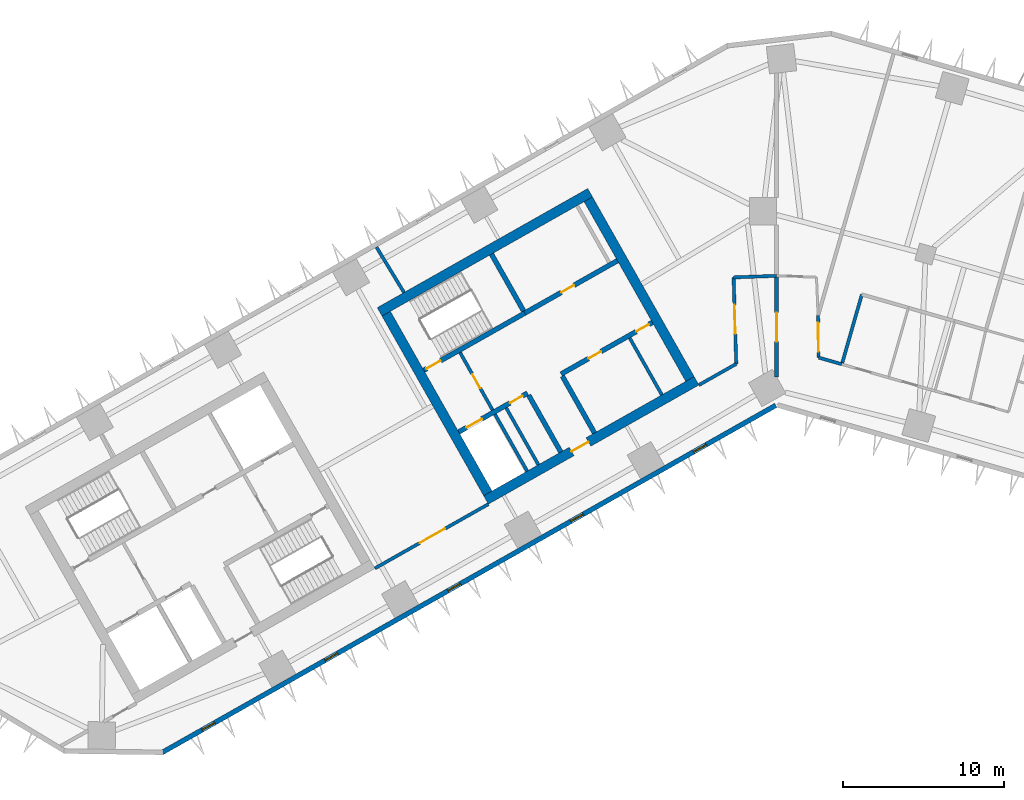
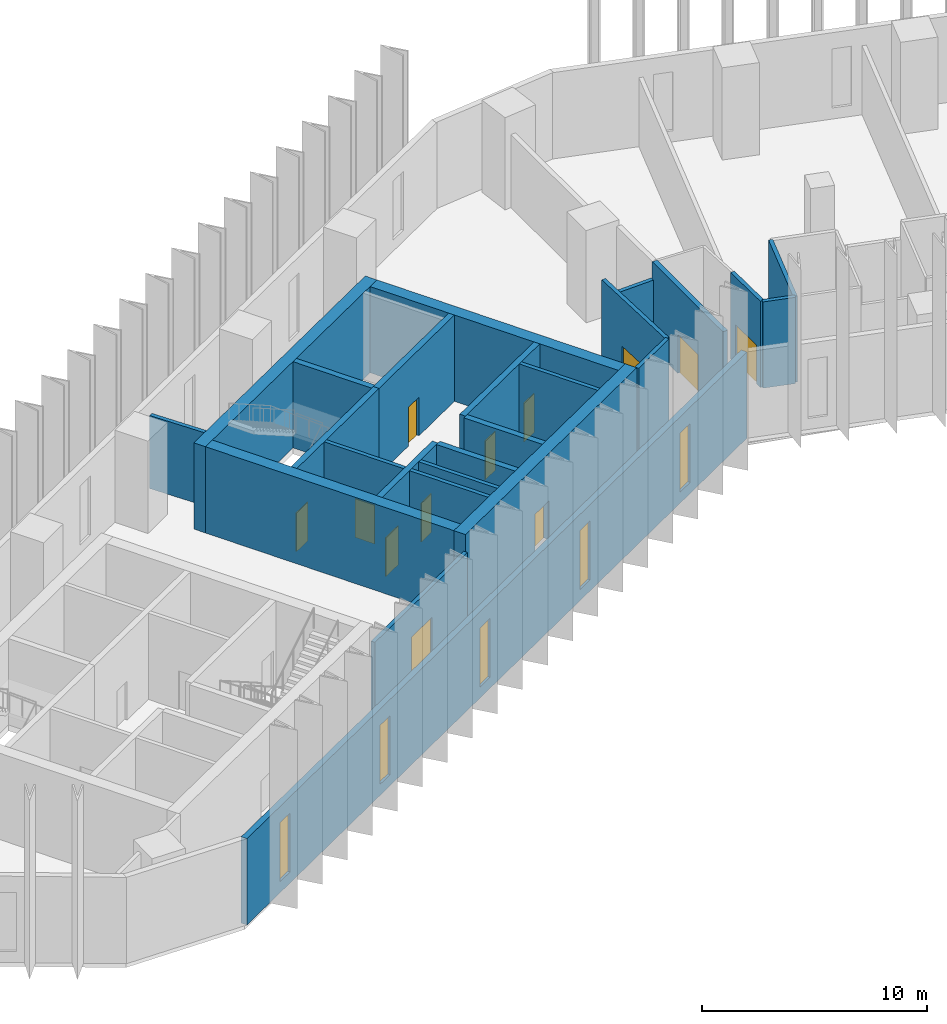
# One storey, part 4 of 11: 25 walls, 12 doors, 5 windows, 17 openings.
"""IFC4 building model written with IfcOpenShell, lengths in metres."""

from ifc_helpers import new_model, si_unit, direction, frame, frame_2d, origin, place, context, subcontext, project, spatial, rectangle, extrude, material, layer, layer_set, type_object, element, fill, save


model = new_model("IFC4")

# Units and contexts
model_context = context("Model", 3, precision=1e-05, world=origin(), true_north=direction((0.0, 1.0)))
body_context = subcontext(model_context, "Body", "Model", "MODEL_VIEW")
ifc_project = project(units=[si_unit("LENGTHUNIT", "METRE"), si_unit("AREAUNIT", "SQUARE_METRE"), si_unit("VOLUMEUNIT", "CUBIC_METRE"), si_unit("PLANEANGLEUNIT", "RADIAN"), si_unit("MASSUNIT", "GRAM", prefix="KILO")], contexts=[model_context])

# Site, building, storey
site_placement = place(None, origin())
site = spatial("IfcSite", under=ifc_project, at=site_placement, CompositionType="ELEMENT")
building_placement = place(site_placement, origin())
building = spatial("IfcBuilding", under=site, at=building_placement, Name="Binnacle Exchange Tower", CompositionType="ELEMENT")
storey_placement = place(building_placement, frame((0.0, 0.0, 76.5)))
storey = spatial("IfcBuildingStorey", under=building, at=storey_placement, Name="L15", CompositionType="ELEMENT", Elevation=76.5)

# Wall
ifc_material_1 = material(Name="Gypsum partition fire rated")
ifc_layer_1 = layer(ifc_material_1, 0.199951171875)
ifc_layer_set_1 = layer_set([ifc_layer_1], Name="Core partition 200")
wall_type_1 = type_object("IfcWallType", Name="Core partition 200", PredefinedType="PARTITIONING", material=ifc_layer_set_1)
wall_1_placement = place(storey_placement, frame((-9.11279296875, 52.14404296875, 0.0), z_axis=(0.0, 0.0, 1.0), x_axis=(0.492394910396, -0.870371904542, 0.0)))
element("IfcWall", 1, at=wall_1_placement, inside=storey, type_object=wall_type_1, Name="Core wall CRWC22", PredefinedType="PARTITIONING", context=body_context, shape_type="SweptSolid", body=[
    extrude(rectangle(XDim=4.0498046875, YDim=0.199951171875, at=frame_2d((2.02490234375, 0.0))), origin(), (0.0, 0.0, 1.0), 4.679931640625),
])

# Wall, openings, doors
ifc_material_2 = material(Name="Concrete C70/85", Category="concrete")
ifc_layer_2 = layer(ifc_material_2, 0.300048828125)
ifc_layer_set_2 = layer_set([ifc_layer_2], Name="Core wall - front 300")
wall_type_2 = type_object("IfcWallType", Name="Core wall - front 300", PredefinedType="SOLIDWALL", material=ifc_layer_set_2)
wall_2_placement = place(storey_placement, frame((-19.718017578125, 46.31640625, 0.0), z_axis=(0.0, 0.0, 1.0), x_axis=(0.870353963862, 0.492426621528, 0.0)))
wall_2 = element("IfcWall", 2, at=wall_2_placement, inside=storey, type_object=wall_type_2, Name="Core wall CRWC2", PredefinedType="SOLIDWALL", context=body_context, shape_type="SweptSolid", body=[
    extrude(rectangle(XDim=4.89990234375, YDim=0.300048828125, at=frame_2d((2.449951171875, 0.0))), origin(), (0.0, 0.0, 1.0), 4.679931640625),
])
opening_1_placement = place(wall_2_placement, frame((0.550048828125, 0.0, 0.0)))
opening_1 = element("IfcOpeningElement", 3, at=opening_1_placement, cuts=wall_2, Name="Opening LD14", PredefinedType="OPENING", context=body_context, shape_type="SweptSolid", body=[
    extrude(rectangle(XDim=1.10009765625, YDim=2.10009765625, at=frame_2d((0.550048828125, 1.050048828125))), frame((0.0, 0.159912109375, 0.0), z_axis=(0.0, -1.0, 0.0), x_axis=(1.0, 0.0, 0.0)), (0.0, 0.0, 1.0), 0.320068359375),
])
opening_2_placement = place(wall_2_placement, frame((3.64990234375, 0.0, 0.0)))
opening_2 = element("IfcOpeningElement", 4, at=opening_2_placement, cuts=wall_2, Name="Opening DC14", PredefinedType="OPENING", context=body_context, shape_type="SweptSolid", body=[
    extrude(rectangle(XDim=0.89990234375, YDim=2.10009765625, at=frame_2d((0.449951171875, 1.050048828125))), frame((0.0, 0.159912109375, 0.0), z_axis=(0.0, -1.0, 0.0), x_axis=(1.0, 0.0, 0.0)), (0.0, 0.0, 1.0), 0.320068359375),
])
ifc_material_3 = material(Name="Steel door leaf", Category="steel")
door_type_1 = type_object("IfcDoorType", Name="Fire door - lift landing 1100", OperationType="NOTDEFINED", PredefinedType="DOOR", material=ifc_material_3)
door_1_placement = place(opening_1_placement, origin())
door_1 = element("IfcDoor", 5, at=door_1_placement, inside=storey, type_object=door_type_1, Name="Landing door LD14 L15", OperationType="DOUBLE_DOOR_SLIDING", OverallHeight=2.10009765625, OverallWidth=1.10009765625, PredefinedType="DOOR", context=body_context, shape_type="SweptSolid", body=[
    extrude(rectangle(XDim=1.10009765625, YDim=2.10009765625, at=frame_2d((0.550048828125, 1.050048828125))), frame((0.0, 0.02490234375, 0.0), z_axis=(0.0, -1.0, 0.0), x_axis=(1.0, 0.0, 0.0)), (0.0, 0.0, 1.0), 0.050048828125),
])
fill(opening_1, door_1)
door_type_2 = type_object("IfcDoorType", Name="Fire door 900", OperationType="NOTDEFINED", PredefinedType="DOOR", material=ifc_material_3)
door_2_placement = place(opening_2_placement, frame((0.89990234375, 0.0, 0.0), z_axis=(0.0, 0.0, 1.0), x_axis=(-1.0, 0.0, 0.0)))
door_2 = element("IfcDoor", 6, at=door_2_placement, inside=storey, type_object=door_type_2, Name="Core room door COMMS RISER ROOM", OperationType="SINGLE_SWING_LEFT", OverallHeight=2.10009765625, OverallWidth=0.89990234375, PredefinedType="DOOR", context=body_context, shape_type="SweptSolid", body=[
    extrude(rectangle(XDim=0.89990234375, YDim=2.10009765625, at=frame_2d((0.449951171875, 1.050048828125))), frame((0.0, 0.02490234375, 0.0), z_axis=(0.0, -1.0, 0.0), x_axis=(1.0, 0.0, 0.0)), (0.0, 0.0, 1.0), 0.050048828125),
])
fill(opening_2, door_2)

wall_3_placement = place(storey_placement, frame((-13.364501953125, 49.910888671875, 0.0), z_axis=(0.0, 0.0, 1.0), x_axis=(0.870340995471, 0.49244954219, 0.0)))
wall_3 = element("IfcWall", 7, at=wall_3_placement, inside=storey, type_object=wall_type_2, Name="Core wall CRWC3", PredefinedType="SOLIDWALL", context=body_context, shape_type="SweptSolid", body=[
    extrude(rectangle(XDim=6.5, YDim=0.300048828125, at=frame_2d((3.25, 0.0))), origin(), (0.0, 0.0, 1.0), 4.679931640625),
])
opening_3_placement = place(wall_3_placement, frame((1.949951171875, 0.0, 0.0)))
opening_3 = element("IfcOpeningElement", 8, at=opening_3_placement, cuts=wall_3, Name="Opening DC18", PredefinedType="OPENING", context=body_context, shape_type="SweptSolid", body=[
    extrude(rectangle(XDim=0.89990234375, YDim=2.10009765625, at=frame_2d((0.449951171875, 1.050048828125))), frame((0.0, 0.159912109375, 0.0), z_axis=(0.0, -1.0, 0.0), x_axis=(1.0, 0.0, 0.0)), (0.0, 0.0, 1.0), 0.320068359375),
])
opening_4_placement = place(wall_3_placement, frame((5.35009765625, 0.0, 0.0)))
opening_4 = element("IfcOpeningElement", 9, at=opening_4_placement, cuts=wall_3, Name="Opening DC19", PredefinedType="OPENING", context=body_context, shape_type="SweptSolid", body=[
    extrude(rectangle(XDim=0.89990234375, YDim=2.10009765625, at=frame_2d((0.449951171875, 1.050048828125))), frame((0.0, 0.159912109375, 0.0), z_axis=(0.0, -1.0, 0.0), x_axis=(1.0, 0.0, 0.0)), (0.0, 0.0, 1.0), 0.320068359375),
])
door_3_placement = place(opening_3_placement, frame((0.89990234375, 0.0, 0.0), z_axis=(0.0, 0.0, 1.0), x_axis=(-1.0, 0.0, 0.0)))
door_3 = element("IfcDoor", 10, at=door_3_placement, inside=storey, type_object=door_type_2, Name="Core room door TELECOM RISER ROOM", OperationType="SINGLE_SWING_RIGHT", OverallHeight=2.10009765625, OverallWidth=0.89990234375, PredefinedType="DOOR", context=body_context, shape_type="SweptSolid", body=[
    extrude(rectangle(XDim=0.89990234375, YDim=2.10009765625, at=frame_2d((0.449951171875, 1.050048828125))), frame((0.0, 0.02490234375, 0.0), z_axis=(0.0, -1.0, 0.0), x_axis=(1.0, 0.0, 0.0)), (0.0, 0.0, 1.0), 0.050048828125),
])
fill(opening_3, door_3)
door_4_placement = place(opening_4_placement, frame((0.89990234375, 0.0, 0.0), z_axis=(0.0, 0.0, 1.0), x_axis=(-1.0, 0.0, 0.0)))
door_4 = element("IfcDoor", 11, at=door_4_placement, inside=storey, type_object=door_type_2, Name="Core room door IT STORE", OperationType="SINGLE_SWING_LEFT", OverallHeight=2.10009765625, OverallWidth=0.89990234375, PredefinedType="DOOR", context=body_context, shape_type="SweptSolid", body=[
    extrude(rectangle(XDim=0.89990234375, YDim=2.10009765625, at=frame_2d((0.449951171875, 1.050048828125))), frame((0.0, 0.02490234375, 0.0), z_axis=(0.0, -1.0, 0.0), x_axis=(1.0, 0.0, 0.0)), (0.0, 0.0, 1.0), 0.050048828125),
])
fill(opening_4, door_4)

# Wall, opening, door
wall_4_placement = place(storey_placement, frame((-15.6181640625, 53.69140625, 0.0), z_axis=(0.0, 0.0, 1.0), x_axis=(0.870356769198, 0.492421663121, 0.0)))
wall_4 = element("IfcWall", 12, at=wall_4_placement, inside=storey, type_object=wall_type_2, Name="Core wall CRWC5", PredefinedType="SOLIDWALL", context=body_context, shape_type="SweptSolid", body=[
    extrude(rectangle(XDim=6.60009765625, YDim=0.300048828125, at=frame_2d((3.300048828125, 0.0))), origin(), (0.0, 0.0, 1.0), 4.679931640625),
])
opening_5_placement = place(wall_4_placement, frame((2.60009765625, 0.0, 0.0)))
opening_5 = element("IfcOpeningElement", 13, at=opening_5_placement, cuts=wall_4, Name="Opening DC10", PredefinedType="OPENING", context=body_context, shape_type="SweptSolid", body=[
    extrude(rectangle(XDim=0.89990234375, YDim=2.10009765625, at=frame_2d((0.449951171875, 1.050048828125))), frame((0.0, 0.159912109375, 0.0), z_axis=(0.0, -1.0, 0.0), x_axis=(1.0, 0.0, 0.0)), (0.0, 0.0, 1.0), 0.320068359375),
])
door_5_placement = place(opening_5_placement, origin())
door_5 = element("IfcDoor", 14, at=door_5_placement, inside=storey, type_object=door_type_2, Name="Core room door WORKSHOP STORE", OperationType="SINGLE_SWING_LEFT", OverallHeight=2.10009765625, OverallWidth=0.89990234375, PredefinedType="DOOR", context=body_context, shape_type="SweptSolid", body=[
    extrude(rectangle(XDim=0.89990234375, YDim=2.10009765625, at=frame_2d((0.449951171875, 1.050048828125))), frame((0.0, 0.02490234375, 0.0), z_axis=(0.0, -1.0, 0.0), x_axis=(1.0, 0.0, 0.0)), (0.0, 0.0, 1.0), 0.050048828125),
])
fill(opening_5, door_5)

# Walls
for number, where, z_axis, x_axis, name in (
    (15, (-15.37939453125, 48.5986328125, 0.0), (0.0, 0.0, 1.0), (0.492394910396, -0.870371904542, 0.0), "Core wall CRWC13"),
    (16, (-13.29052734375, 49.780517578125, 0.0), (0.0, 0.0, 1.0), (0.492394910396, -0.870371904542, 0.0), "Core wall CRWC15"),
):
    element("IfcWall", number, at=place(storey_placement, frame(where, z_axis=z_axis, x_axis=x_axis)), inside=storey, type_object=wall_type_2, Name=name, PredefinedType="SOLIDWALL", context=body_context, shape_type="SweptSolid", body=[
        extrude(rectangle(XDim=4.0498046875, YDim=0.300048828125, at=frame_2d((2.02490234375, 0.0))), origin(), (0.0, 0.0, 1.0), 4.679931640625),
    ])

# Wall, opening, door
ifc_layer_3 = layer(ifc_material_2, 0.60009765625)
ifc_layer_set_3 = layer_set([ifc_layer_3], Name="Core wall - outer 600")
wall_type_3 = type_object("IfcWallType", Name="Core wall - outer 600", PredefinedType="SOLIDWALL", material=ifc_layer_set_3)
wall_5_placement = place(storey_placement, frame((-18.0244140625, 42.104248046875, 0.0), z_axis=(0.0, 0.0, 1.0), x_axis=(0.870360574057, 0.492414937962, 0.0)))
wall_5 = element("IfcWall", 17, at=wall_5_placement, inside=storey, type_object=wall_type_3, Name="Core wall CRWC1", PredefinedType="SOLIDWALL", context=body_context, shape_type="SweptSolid", body=[
    extrude(rectangle(XDim=15.0, YDim=0.60009765625, at=frame_2d((7.5, 0.0))), origin(), (0.0, 0.0, 1.0), 4.679931640625),
])
opening_6_placement = place(wall_5_placement, frame((6.10009765625, 0.0, 0.0)))
opening_6 = element("IfcOpeningElement", 18, at=opening_6_placement, cuts=wall_5, Name="Opening DC7", PredefinedType="OPENING", context=body_context, shape_type="SweptSolid", body=[
    extrude(rectangle(XDim=1.199951171875, YDim=2.10009765625, at=frame_2d((0.60009765625, 1.050048828125))), frame((0.0, 0.31005859375, 0.0), z_axis=(0.0, -1.0, 0.0), x_axis=(1.0, 0.0, 0.0)), (0.0, 0.0, 1.0), 0.6201171875),
])
door_type_3 = type_object("IfcDoorType", Name="Fire door 1200", OperationType="NOTDEFINED", PredefinedType="DOOR", material=ifc_material_3)
door_6_placement = place(opening_6_placement, frame((1.199951171875, 0.0, 0.0), z_axis=(0.0, 0.0, 1.0), x_axis=(-1.0, 0.0, 0.0)))
door_6 = element("IfcDoor", 19, at=door_6_placement, inside=storey, type_object=door_type_3, Name="Lift lobby entrance door core C", OperationType="SINGLE_SWING_RIGHT", OverallHeight=2.10009765625, OverallWidth=1.199951171875, PredefinedType="DOOR", context=body_context, shape_type="SweptSolid", body=[
    extrude(rectangle(XDim=1.199951171875, YDim=2.10009765625, at=frame_2d((0.60009765625, 1.050048828125))), frame((0.0, 0.02490234375, 0.0), z_axis=(0.0, -1.0, 0.0), x_axis=(1.0, 0.0, 0.0)), (0.0, 0.0, 1.0), 0.050048828125),
])
fill(opening_6, door_6)

# Walls
wall_6_placement = place(storey_placement, frame((-24.622802734375, 53.76708984375, 0.0), z_axis=(0.0, 0.0, 1.0), x_axis=(0.870356627484, 0.492421913601, 0.0)))
element("IfcWall", 20, at=wall_6_placement, inside=storey, type_object=wall_type_3, Name="Core wall CRWC6", PredefinedType="SOLIDWALL", context=body_context, shape_type="SweptSolid", body=[
    extrude(rectangle(XDim=14.999755859375, YDim=0.60009765625, at=frame_2d((7.5, 0.0))), origin(), (0.0, 0.0, 1.0), 4.679931640625),
])
wall_7_placement = place(storey_placement, frame((-24.214111328125, 53.653564453125, 0.0), z_axis=(0.0, 0.0, 1.0), x_axis=(0.492441221355, -0.870345703448, 0.0)))
element("IfcWall", 21, at=wall_7_placement, inside=storey, type_object=wall_type_3, Name="Core wall CRWC7", PredefinedType="SOLIDWALL", context=body_context, shape_type="SweptSolid", body=[
    extrude(rectangle(XDim=12.800048828125, YDim=0.60009765625, at=frame_2d((6.39990234375, 0.0))), origin(), (0.0, 0.0, 1.0), 4.679931640625),
])
wall_8_placement = place(storey_placement, frame((-11.680908203125, 60.744384765625, 0.0), z_axis=(0.0, 0.0, 1.0), x_axis=(0.492426772896, -0.870353878221, 0.0)))
element("IfcWall", 22, at=wall_8_placement, inside=storey, type_object=wall_type_3, Name="Core wall CRWC24", PredefinedType="SOLIDWALL", context=body_context, shape_type="SweptSolid", body=[
    extrude(rectangle(XDim=12.7998046875, YDim=0.60009765625, at=frame_2d((6.39990234375, 0.0))), origin(), (0.0, 0.0, 1.0), 4.679931640625),
])

# Wall, opening, door
ifc_layer_4 = layer(ifc_material_2, 0.300048828125)
ifc_layer_set_4 = layer_set([ifc_layer_4], Name="Core wall - stair 300")
wall_type_4 = type_object("IfcWallType", Name="Core wall - stair 300", PredefinedType="SOLIDWALL", material=ifc_layer_set_4)
wall_9_placement = place(storey_placement, frame((-21.884765625, 50.14599609375, 0.0), z_axis=(0.0, 0.0, 1.0), x_axis=(0.870359411463, 0.492416992881, 0.0)))
wall_9 = element("IfcWall", 23, at=wall_9_placement, inside=storey, type_object=wall_type_4, Name="Core wall CRWC4", PredefinedType="SOLIDWALL", context=body_context, shape_type="SweptSolid", body=[
    extrude(rectangle(XDim=7.199951171875, YDim=0.300048828125, at=frame_2d((3.60009765625, 0.0))), origin(), (0.0, 0.0, 1.0), 4.679931640625),
])
opening_7_placement = place(wall_9_placement, frame((0.199951171875, 0.0, 0.0)))
opening_7 = element("IfcOpeningElement", 24, at=opening_7_placement, cuts=wall_9, Name="Opening DC1", PredefinedType="OPENING", context=body_context, shape_type="SweptSolid", body=[
    extrude(rectangle(XDim=1.0, YDim=2.10009765625, at=frame_2d((0.5, 1.050048828125))), frame((0.0, 0.159912109375, 0.0), z_axis=(0.0, -1.0, 0.0), x_axis=(1.0, 0.0, 0.0)), (0.0, 0.0, 1.0), 0.320068359375),
])
door_type_4 = type_object("IfcDoorType", Name="Fire door 1000", OperationType="NOTDEFINED", PredefinedType="DOOR", material=ifc_material_3)
door_7_placement = place(opening_7_placement, origin())
door_7 = element("IfcDoor", 25, at=door_7_placement, inside=storey, type_object=door_type_4, Name="Stair door ST-C1", OperationType="SINGLE_SWING_LEFT", OverallHeight=2.10009765625, OverallWidth=1.0, PredefinedType="DOOR", context=body_context, shape_type="SweptSolid", body=[
    extrude(rectangle(XDim=1.0, YDim=2.10009765625, at=frame_2d((0.5, 1.050048828125))), frame((0.0, 0.02490234375, 0.0), z_axis=(0.0, -1.0, 0.0), x_axis=(1.0, 0.0, 0.0)), (0.0, 0.0, 1.0), 0.050048828125),
])
fill(opening_7, door_7)

# Wall
wall_10_placement = place(storey_placement, frame((-17.686279296875, 57.3466796875, 0.0), z_axis=(0.0, 0.0, 1.0), x_axis=(0.492420746998, -0.870357287513, 0.0)))
element("IfcWall", 26, at=wall_10_placement, inside=storey, type_object=wall_type_4, Name="Core wall CRWC14", PredefinedType="SOLIDWALL", context=body_context, shape_type="SweptSolid", body=[
    extrude(rectangle(XDim=4.049560546875, YDim=0.300048828125, at=frame_2d((2.02490234375, 0.0))), origin(), (0.0, 0.0, 1.0), 4.679931640625),
])

# Wall, openings, windows
ifc_material_4 = material(Name="Bronze aluminium cladding", Category="aluminium")
ifc_layer_5 = layer(ifc_material_4, 0.300048828125)
ifc_layer_set_5 = layer_set([ifc_layer_5], Name="External wall - spandrel 300")
wall_type_5 = type_object("IfcWallType", Name="External wall - spandrel 300", PredefinedType="STANDARD", material=ifc_layer_set_5)
wall_11_placement = place(storey_placement, frame((-0.0546875, 47.968994140625, 0.0), z_axis=(0.0, 0.0, 1.0), x_axis=(-0.870355730478, -0.492423499058, 0.0)))
wall_11 = element("IfcWall", 27, at=wall_11_placement, inside=storey, type_object=wall_type_5, Name="External wall EW-F07 L15", PredefinedType="STANDARD", context=body_context, shape_type="SweptSolid", body=[
    extrude(rectangle(XDim=43.750244140625, YDim=0.300048828125, at=frame_2d((21.875, 0.0))), origin(), (0.0, 0.0, 1.0), 4.679931640625),
])
opening_8_placement = place(wall_11_placement, frame((39.976806640625, 0.0, 0.60009765625)))
opening_8 = element("IfcOpeningElement", 28, at=opening_8_placement, cuts=wall_11, Name="Opening WS1", PredefinedType="OPENING", context=body_context, shape_type="SweptSolid", body=[
    extrude(rectangle(XDim=0.89990234375, YDim=3.199951171875, at=frame_2d((0.449951171875, 1.60009765625))), frame((0.0, 0.159912109375, 0.0), z_axis=(0.0, -1.0, 0.0), x_axis=(1.0, 0.0, 0.0)), (0.0, 0.0, 1.0), 0.320068359375),
])
opening_9_placement = place(wall_11_placement, frame((31.222412109375, 0.0, 0.60009765625)))
opening_9 = element("IfcOpeningElement", 29, at=opening_9_placement, cuts=wall_11, Name="Opening WS1", PredefinedType="OPENING", context=body_context, shape_type="SweptSolid", body=[
    extrude(rectangle(XDim=0.89990234375, YDim=3.199951171875, at=frame_2d((0.449951171875, 1.60009765625))), frame((0.0, 0.159912109375, 0.0), z_axis=(0.0, -1.0, 0.0), x_axis=(1.0, 0.0, 0.0)), (0.0, 0.0, 1.0), 0.320068359375),
])
opening_10_placement = place(wall_11_placement, frame((22.4677734375, 0.0, 0.60009765625)))
opening_10 = element("IfcOpeningElement", 30, at=opening_10_placement, cuts=wall_11, Name="Opening WS1", PredefinedType="OPENING", context=body_context, shape_type="SweptSolid", body=[
    extrude(rectangle(XDim=0.89990234375, YDim=3.199951171875, at=frame_2d((0.449951171875, 1.60009765625))), frame((0.0, 0.159912109375, 0.0), z_axis=(0.0, -1.0, 0.0), x_axis=(1.0, 0.0, 0.0)), (0.0, 0.0, 1.0), 0.320068359375),
])
opening_11_placement = place(wall_11_placement, frame((13.713134765625, 0.0, 0.60009765625)))
opening_11 = element("IfcOpeningElement", 31, at=opening_11_placement, cuts=wall_11, Name="Opening WS1", PredefinedType="OPENING", context=body_context, shape_type="SweptSolid", body=[
    extrude(rectangle(XDim=0.89990234375, YDim=3.199951171875, at=frame_2d((0.449951171875, 1.60009765625))), frame((0.0, 0.159912109375, 0.0), z_axis=(0.0, -1.0, 0.0), x_axis=(1.0, 0.0, 0.0)), (0.0, 0.0, 1.0), 0.320068359375),
])
opening_12_placement = place(wall_11_placement, frame((4.958740234375, 0.0, 0.60009765625)))
opening_12 = element("IfcOpeningElement", 32, at=opening_12_placement, cuts=wall_11, Name="Opening WS1", PredefinedType="OPENING", context=body_context, shape_type="SweptSolid", body=[
    extrude(rectangle(XDim=0.89990234375, YDim=3.199951171875, at=frame_2d((0.449951171875, 1.60009765625))), frame((0.0, 0.159912109375, 0.0), z_axis=(0.0, -1.0, 0.0), x_axis=(1.0, 0.0, 0.0)), (0.0, 0.0, 1.0), 0.320068359375),
])
ifc_material_5 = material(Name="Bronze anodised aluminium frame", Category="aluminium")
window_type = type_object("IfcWindowType", Name="WS1 WINDOW 900x3200", PartitioningType="SINGLE_PANEL", PredefinedType="WINDOW", material=ifc_material_5)
window_1_placement = place(opening_8_placement, origin())
window_1 = element("IfcWindow", 33, at=window_1_placement, inside=storey, type_object=window_type, Name="Window WS1 L15", OverallHeight=3.199951171875, OverallWidth=0.89990234375, PartitioningType="SINGLE_PANEL", PredefinedType="WINDOW", context=body_context, shape_type="SweptSolid", body=[
    extrude(rectangle(XDim=0.89990234375, YDim=3.199951171875, at=frame_2d((0.449951171875, 1.60009765625))), frame((0.0, 0.030029296875, 0.0), z_axis=(0.0, -1.0, 0.0), x_axis=(1.0, 0.0, 0.0)), (0.0, 0.0, 1.0), 0.06005859375),
])
fill(opening_8, window_1)
window_2_placement = place(opening_9_placement, origin())
window_2 = element("IfcWindow", 34, at=window_2_placement, inside=storey, type_object=window_type, Name="Window WS1 L15", OverallHeight=3.199951171875, OverallWidth=0.89990234375, PartitioningType="SINGLE_PANEL", PredefinedType="WINDOW", context=body_context, shape_type="SweptSolid", body=[
    extrude(rectangle(XDim=0.89990234375, YDim=3.199951171875, at=frame_2d((0.449951171875, 1.60009765625))), frame((0.0, 0.030029296875, 0.0), z_axis=(0.0, -1.0, 0.0), x_axis=(1.0, 0.0, 0.0)), (0.0, 0.0, 1.0), 0.06005859375),
])
fill(opening_9, window_2)
window_3_placement = place(opening_10_placement, origin())
window_3 = element("IfcWindow", 35, at=window_3_placement, inside=storey, type_object=window_type, Name="Window WS1 L15", OverallHeight=3.199951171875, OverallWidth=0.89990234375, PartitioningType="SINGLE_PANEL", PredefinedType="WINDOW", context=body_context, shape_type="SweptSolid", body=[
    extrude(rectangle(XDim=0.89990234375, YDim=3.199951171875, at=frame_2d((0.449951171875, 1.60009765625))), frame((0.0, 0.030029296875, 0.0), z_axis=(0.0, -1.0, 0.0), x_axis=(1.0, 0.0, 0.0)), (0.0, 0.0, 1.0), 0.06005859375),
])
fill(opening_10, window_3)
window_4_placement = place(opening_11_placement, origin())
window_4 = element("IfcWindow", 36, at=window_4_placement, inside=storey, type_object=window_type, Name="Window WS1 L15", OverallHeight=3.199951171875, OverallWidth=0.89990234375, PartitioningType="SINGLE_PANEL", PredefinedType="WINDOW", context=body_context, shape_type="SweptSolid", body=[
    extrude(rectangle(XDim=0.89990234375, YDim=3.199951171875, at=frame_2d((0.449951171875, 1.60009765625))), frame((0.0, 0.030029296875, 0.0), z_axis=(0.0, -1.0, 0.0), x_axis=(1.0, 0.0, 0.0)), (0.0, 0.0, 1.0), 0.06005859375),
])
fill(opening_11, window_4)
window_5_placement = place(opening_12_placement, origin())
window_5 = element("IfcWindow", 37, at=window_5_placement, inside=storey, type_object=window_type, Name="Window WS1 L15", OverallHeight=3.199951171875, OverallWidth=0.89990234375, PartitioningType="SINGLE_PANEL", PredefinedType="WINDOW", context=body_context, shape_type="SweptSolid", body=[
    extrude(rectangle(XDim=0.89990234375, YDim=3.199951171875, at=frame_2d((0.449951171875, 1.60009765625))), frame((0.0, 0.030029296875, 0.0), z_axis=(0.0, -1.0, 0.0), x_axis=(1.0, 0.0, 0.0)), (0.0, 0.0, 1.0), 0.06005859375),
])
fill(opening_12, window_5)

# Wall, opening, door
ifc_material_6 = material(Name="Masonry block wall", Category="masonry")
ifc_layer_6 = layer(ifc_material_6, 0.199951171875)
ifc_layer_set_6 = layer_set([ifc_layer_6], Name="Fire wall - block 200")
wall_type_6 = type_object("IfcWallType", Name="Fire wall - block 200", PredefinedType="PARTITIONING", material=ifc_layer_set_6)
wall_12_placement = place(storey_placement, frame((-24.9189453125, 37.85888671875, 0.0), z_axis=(0.0, 0.0, 1.0), x_axis=(0.870357635969, 0.492420131098, 0.0)))
wall_12 = element("IfcWall", 38, at=wall_12_placement, inside=storey, type_object=wall_type_6, Name="Partition W04", PredefinedType="PARTITIONING", context=body_context, shape_type="SweptSolid", body=[
    extrude(rectangle(XDim=8.0908203125, YDim=0.199951171875, at=frame_2d((4.04541015625, 0.0))), origin(), (0.0, 0.0, 1.0), 3.748046875),
])
opening_13_placement = place(wall_12_placement, frame((3.199951171875, 0.0, 0.0)))
opening_13 = element("IfcOpeningElement", 39, at=opening_13_placement, cuts=wall_12, Name="Opening DL14-02", PredefinedType="OPENING", context=body_context, shape_type="SweptSolid", body=[
    extrude(rectangle(XDim=1.800048828125, YDim=2.10009765625, at=frame_2d((0.89990234375, 1.050048828125))), frame((0.0, 0.10986328125, 0.0), z_axis=(0.0, -1.0, 0.0), x_axis=(1.0, 0.0, 0.0)), (0.0, 0.0, 1.0), 0.219970703125),
])
door_type_5 = type_object("IfcDoorType", Name="Fire door 1800", OperationType="NOTDEFINED", PredefinedType="DOOR", material=ifc_material_3)
door_8_placement = place(opening_13_placement, origin())
door_8 = element("IfcDoor", 40, at=door_8_placement, inside=storey, type_object=door_type_5, Name="Door DL14-02", OperationType="DOUBLE_DOOR_SINGLE_SWING", OverallHeight=2.10009765625, OverallWidth=1.800048828125, PredefinedType="DOOR", context=body_context, shape_type="SweptSolid", body=[
    extrude(rectangle(XDim=1.800048828125, YDim=2.10009765625, at=frame_2d((0.89990234375, 1.050048828125))), frame((0.0, 0.02490234375, 0.0), z_axis=(0.0, -1.0, 0.0), x_axis=(1.0, 0.0, 0.0)), (0.0, 0.0, 1.0), 0.050048828125),
])
fill(opening_13, door_8)

# Walls
wall_13_placement = place(storey_placement, frame((-24.820068359375, 57.784912109375, 0.0), z_axis=(0.0, 0.0, 1.0), x_axis=(0.519183013025, -0.854663090923, 0.0)))
element("IfcWall", 41, at=wall_13_placement, inside=storey, type_object=wall_type_6, Name="Partition W05", PredefinedType="PARTITIONING", context=body_context, shape_type="SweptSolid", body=[
    extrude(rectangle(XDim=3.2958984375, YDim=0.199951171875, at=frame_2d((1.64794921875, 0.0))), origin(), (0.0, 0.0, 1.0), 3.9599609375),
])
wall_14_placement = place(storey_placement, frame((-4.821044921875, 49.22998046875, 0.0), z_axis=(0.0, 0.0, 1.0), x_axis=(0.870371217631, 0.492396124598, 0.0)))
element("IfcWall", 42, at=wall_14_placement, inside=storey, type_object=wall_type_6, Name="Partition W06", PredefinedType="PARTITIONING", context=body_context, shape_type="SweptSolid", body=[
    extrude(rectangle(XDim=2.65869140625, YDim=0.199951171875, at=frame_2d((1.329345703125, 0.0))), origin(), (0.0, 0.0, 1.0), 4.679931640625),
])

# Wall, opening, door
wall_15_placement = place(storey_placement, frame((-2.669921875, 55.904052734375, 0.0), z_axis=(0.0, 0.0, 1.0), x_axis=(0.030338701418, -0.999539675649, 0.0)))
wall_15 = element("IfcWall", 43, at=wall_15_placement, inside=storey, type_object=wall_type_6, Name="Partition W07", PredefinedType="PARTITIONING", context=body_context, shape_type="SweptSolid", body=[
    extrude(rectangle(XDim=5.367431640625, YDim=0.199951171875, at=frame_2d((2.68359375, 0.0))), origin(), (0.0, 0.0, 1.0), 4.679931640625),
])
opening_14_placement = place(wall_15_placement, frame((1.699951171875, 0.0, 0.0)))
opening_14 = element("IfcOpeningElement", 44, at=opening_14_placement, cuts=wall_15, Name="Opening DL14-03", PredefinedType="OPENING", context=body_context, shape_type="SweptSolid", body=[
    extrude(rectangle(XDim=1.800048828125, YDim=2.10009765625, at=frame_2d((0.89990234375, 1.050048828125))), frame((0.0, 0.10986328125, 0.0), z_axis=(0.0, -1.0, 0.0), x_axis=(1.0, 0.0, 0.0)), (0.0, 0.0, 1.0), 0.219970703125),
])
door_9_placement = place(opening_14_placement, frame((1.800048828125, 0.0, 0.0), z_axis=(0.0, 0.0, 1.0), x_axis=(-1.0, 0.0, 0.0)))
door_9 = element("IfcDoor", 45, at=door_9_placement, inside=storey, type_object=door_type_5, Name="Door DL14-03", OperationType="DOUBLE_DOOR_SINGLE_SWING", OverallHeight=2.10009765625, OverallWidth=1.800048828125, PredefinedType="DOOR", context=body_context, shape_type="SweptSolid", body=[
    extrude(rectangle(XDim=1.800048828125, YDim=2.10009765625, at=frame_2d((0.89990234375, 1.050048828125))), frame((0.0, 0.02490234375, 0.0), z_axis=(0.0, -1.0, 0.0), x_axis=(1.0, 0.0, 0.0)), (0.0, 0.0, 1.0), 0.050048828125),
])
fill(opening_14, door_9)

# Wall
wall_16_placement = place(storey_placement, frame((-2.669921875, 55.904052734375, 0.0), z_axis=(0.0, 0.0, 1.0), x_axis=(0.999354913865, 0.03591317494, 0.0)))
element("IfcWall", 46, at=wall_16_placement, inside=storey, type_object=wall_type_6, Name="Partition W08", PredefinedType="PARTITIONING", context=body_context, shape_type="SweptSolid", body=[
    extrude(rectangle(XDim=2.671630859375, YDim=0.199951171875, at=frame_2d((1.3359375, 0.0))), origin(), (0.0, 0.0, 1.0), 3.741943359375),
])

# Wall, opening, door
wall_17_placement = place(storey_placement, frame((2.569091796875, 53.5419921875, 0.0), z_axis=(0.0, 0.0, 1.0), x_axis=(0.012252377394, -0.999924936807, 0.0)))
wall_17 = element("IfcWall", 47, at=wall_17_placement, inside=storey, type_object=wall_type_6, Name="Partition W14", PredefinedType="PARTITIONING", context=body_context, shape_type="SweptSolid", body=[
    extrude(rectangle(XDim=2.6103515625, YDim=0.199951171875, at=frame_2d((1.30517578125, 0.0))), origin(), (0.0, 0.0, 1.0), 4.679931640625),
])
opening_15_placement = place(wall_17_placement, frame((0.449951171875, 0.0, 0.0)))
opening_15 = element("IfcOpeningElement", 48, at=opening_15_placement, cuts=wall_17, Name="Opening DL14-09", PredefinedType="OPENING", context=body_context, shape_type="SweptSolid", body=[
    extrude(rectangle(XDim=1.800048828125, YDim=2.10009765625, at=frame_2d((0.89990234375, 1.050048828125))), frame((0.0, 0.10986328125, 0.0), z_axis=(0.0, -1.0, 0.0), x_axis=(1.0, 0.0, 0.0)), (0.0, 0.0, 1.0), 0.219970703125),
])
door_10_placement = place(opening_15_placement, origin())
door_10 = element("IfcDoor", 49, at=door_10_placement, inside=storey, type_object=door_type_5, Name="Door DL14-09", OperationType="DOUBLE_DOOR_SINGLE_SWING", OverallHeight=2.10009765625, OverallWidth=1.800048828125, PredefinedType="DOOR", context=body_context, shape_type="SweptSolid", body=[
    extrude(rectangle(XDim=1.800048828125, YDim=2.10009765625, at=frame_2d((0.89990234375, 1.050048828125))), frame((0.0, 0.02490234375, 0.0), z_axis=(0.0, -1.0, 0.0), x_axis=(1.0, 0.0, 0.0)), (0.0, 0.0, 1.0), 0.050048828125),
])
fill(opening_15, door_10)

# Walls
wall_18_placement = place(storey_placement, frame((2.60107421875, 50.931884765625, 0.0), z_axis=(0.0, 0.0, 1.0), x_axis=(0.961197773994, -0.27586018065, 0.0)))
element("IfcWall", 50, at=wall_18_placement, inside=storey, type_object=wall_type_6, Name="Partition W16", PredefinedType="PARTITIONING", context=body_context, shape_type="SweptSolid", body=[
    extrude(rectangle(XDim=1.5, YDim=0.199951171875, at=frame_2d((0.75, 0.0))), origin(), (0.0, 0.0, 1.0), 4.679931640625),
])
wall_19_placement = place(storey_placement, frame((4.04296875, 50.51806640625, 0.0), z_axis=(0.0, 0.0, 1.0), x_axis=(0.275745553681, 0.96123066411, 0.0)))
element("IfcWall", 51, at=wall_19_placement, inside=storey, type_object=wall_type_6, Name="Partition W17", PredefinedType="PARTITIONING", context=body_context, shape_type="SweptSolid", body=[
    extrude(rectangle(XDim=4.50048828125, YDim=0.199951171875, at=frame_2d((2.250244140625, 0.0))), origin(), (0.0, 0.0, 1.0), 4.679931640625),
])

# Wall, opening, door
ifc_material_7 = material(Name="Concrete fire wall C30/37", Category="concrete")
ifc_layer_7 = layer(ifc_material_7, 0.25)
ifc_layer_set_7 = layer_set([ifc_layer_7], Name="Fire wall - compartment 250")
wall_type_7 = type_object("IfcWallType", Name="Fire wall - compartment 250", PredefinedType="PARTITIONING", material=ifc_layer_set_7)
wall_20_placement = place(storey_placement, frame((0.0, 49.72607421875, 0.0), z_axis=(0.0, 0.0, 1.0), x_axis=(0.0, 1.0, 0.0)))
wall_20 = element("IfcWall", 52, at=wall_20_placement, inside=storey, type_object=wall_type_7, Name="Fire Wall W09", PredefinedType="PARTITIONING", context=body_context, shape_type="SweptSolid", body=[
    extrude(rectangle(XDim=6.27392578125, YDim=0.25, at=frame_2d((3.136962890625, 0.0))), origin(), (0.0, 0.0, 1.0), 4.679931640625),
])
opening_16_placement = place(wall_20_placement, frame((2.199951171875, 0.0, 0.0)))
opening_16 = element("IfcOpeningElement", 53, at=opening_16_placement, cuts=wall_20, Name="Opening DL14-14", PredefinedType="OPENING", context=body_context, shape_type="SweptSolid", body=[
    extrude(rectangle(XDim=1.800048828125, YDim=2.10009765625, at=frame_2d((0.89990234375, 1.050048828125))), frame((0.0, 0.135009765625, 0.0), z_axis=(0.0, -1.0, 0.0), x_axis=(1.0, 0.0, 0.0)), (0.0, 0.0, 1.0), 0.27001953125),
])
door_11_placement = place(opening_16_placement, origin())
door_11 = element("IfcDoor", 54, at=door_11_placement, inside=storey, type_object=door_type_5, Name="Door DL14-14", OperationType="DOUBLE_DOOR_SINGLE_SWING", OverallHeight=2.10009765625, OverallWidth=1.800048828125, PredefinedType="DOOR", context=body_context, shape_type="SweptSolid", body=[
    extrude(rectangle(XDim=1.800048828125, YDim=2.10009765625, at=frame_2d((0.89990234375, 1.050048828125))), frame((0.0, 0.02490234375, 0.0), z_axis=(0.0, -1.0, 0.0), x_axis=(1.0, 0.0, 0.0)), (0.0, 0.0, 1.0), 0.050048828125),
])
fill(opening_16, door_11)

ifc_layer_8 = layer(ifc_material_6, 0.199951171875)
ifc_layer_set_8 = layer_set([ifc_layer_8], Name="Fire wall - vestibule 200")
wall_type_8 = type_object("IfcWallType", Name="Fire wall - vestibule 200", PredefinedType="PARTITIONING", material=ifc_layer_set_8)
wall_21_placement = place(storey_placement, frame((-19.635009765625, 51.246337890625, 0.0), z_axis=(0.0, 0.0, 1.0), x_axis=(0.492408451753, -0.87036424366, 0.0)))
wall_21 = element("IfcWall", 55, at=wall_21_placement, inside=storey, type_object=wall_type_8, Name="Core wall CRWC10", PredefinedType="PARTITIONING", context=body_context, shape_type="SweptSolid", body=[
    extrude(rectangle(XDim=4.099853515625, YDim=0.199951171875, at=frame_2d((2.0498046875, 0.0))), origin(), (0.0, 0.0, 1.0), 4.679931640625),
])
opening_17_placement = place(wall_21_placement, frame((1.550048828125, 0.0, 0.0)))
opening_17 = element("IfcOpeningElement", 56, at=opening_17_placement, cuts=wall_21, Name="Opening DC3", PredefinedType="OPENING", context=body_context, shape_type="SweptSolid", body=[
    extrude(rectangle(XDim=1.0, YDim=2.10009765625, at=frame_2d((0.5, 1.050048828125))), frame((0.0, 0.10986328125, 0.0), z_axis=(0.0, -1.0, 0.0), x_axis=(1.0, 0.0, 0.0)), (0.0, 0.0, 1.0), 0.219970703125),
])
door_12_placement = place(opening_17_placement, frame((1.0, 0.0, 0.0), z_axis=(0.0, 0.0, 1.0), x_axis=(-1.0, 0.0, 0.0)))
door_12 = element("IfcDoor", 57, at=door_12_placement, inside=storey, type_object=door_type_4, Name="Vestibule door VEST-W", OperationType="SINGLE_SWING_RIGHT", OverallHeight=2.10009765625, OverallWidth=1.0, PredefinedType="DOOR", context=body_context, shape_type="SweptSolid", body=[
    extrude(rectangle(XDim=1.0, YDim=2.10009765625, at=frame_2d((0.5, 1.050048828125))), frame((0.0, 0.02490234375, 0.0), z_axis=(0.0, -1.0, 0.0), x_axis=(1.0, 0.0, 0.0)), (0.0, 0.0, 1.0), 0.050048828125),
])
fill(opening_17, door_12)

# Walls
ifc_layer_9 = layer(ifc_material_6, 0.199951171875)
ifc_layer_set_9 = layer_set([ifc_layer_9], Name="Riser wall 200")
wall_type_9 = type_object("IfcWallType", Name="Riser wall 200", PredefinedType="SOLIDWALL", material=ifc_layer_set_9)
for number, where, z_axis, x_axis, name in (
    (58, (-17.468505859375, 47.416748046875, 0.0), (0.0, 0.0, 1.0), (0.492440575896, -0.870346068648, 0.0), "Core wall CRWC8"),
    (59, (-16.772216796875, 47.810791015625, 0.0), (0.0, 0.0, 1.0), (0.492440575896, -0.870346068648, 0.0), "Core wall CRWC11"),
):
    element("IfcWall", number, at=place(storey_placement, frame(where, z_axis=z_axis, x_axis=x_axis)), inside=storey, type_object=wall_type_9, Name=name, PredefinedType="SOLIDWALL", context=body_context, shape_type="SweptSolid", body=[
        extrude(rectangle(XDim=4.050048828125, YDim=0.199951171875, at=frame_2d((2.02490234375, 0.0))), origin(), (0.0, 0.0, 1.0), 4.679931640625),
    ])

save(model, "model.ifc")
